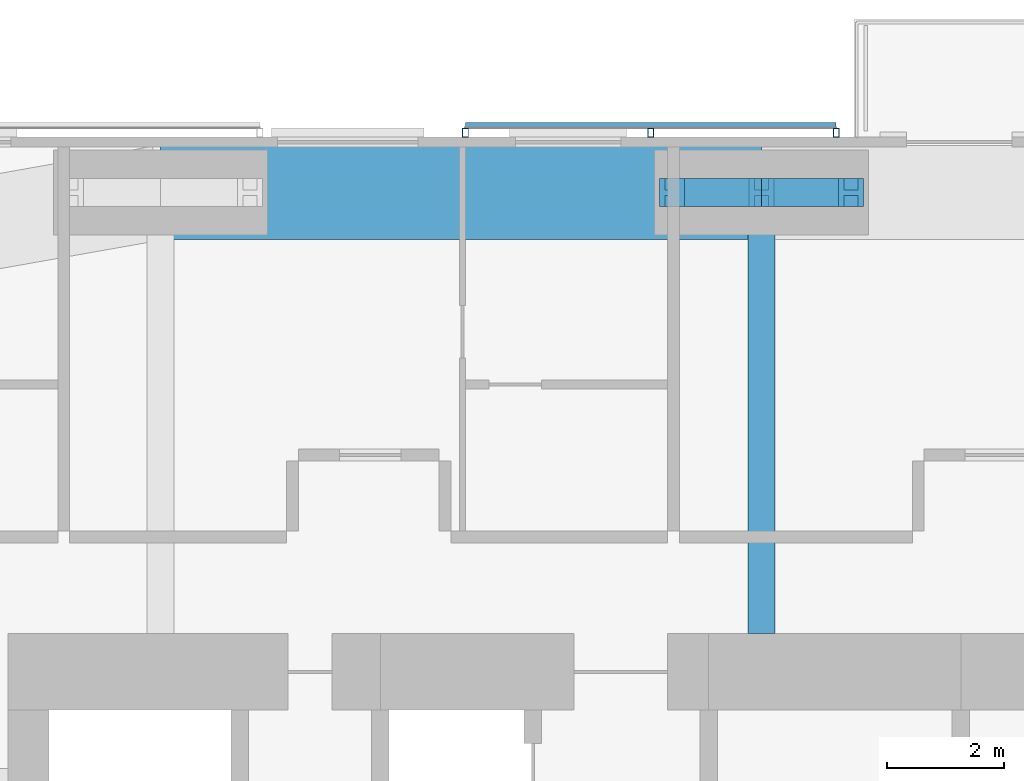
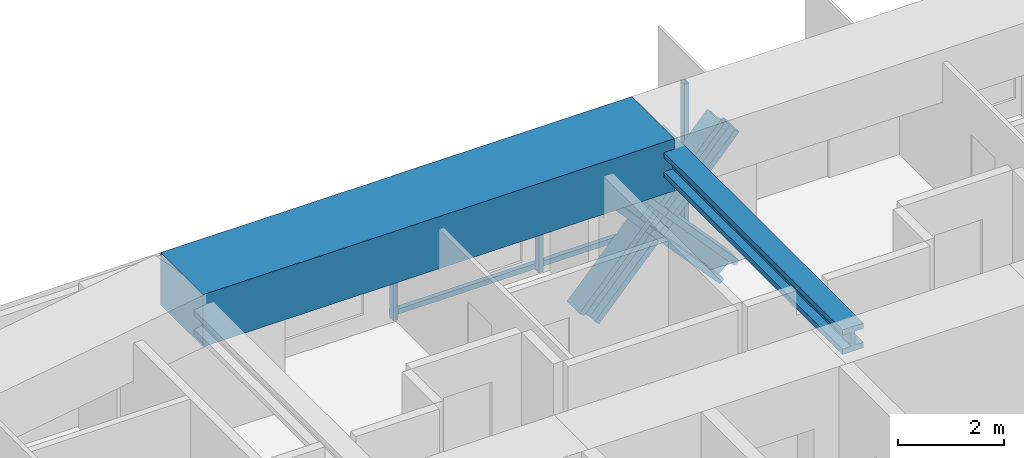
# One storey, part 12 of 23: 8 members, 2 beams, 1 element without a shape of its own.
"""IFC4 building model written with IfcOpenShell, lengths in metres."""

from ifc_helpers import new_model, si_unit, direction, frame, origin, origin_2d, place, context, subcontext, project, spatial, rectangle, hollow_rectangle, i_section, extrude, material, material_profile, profile_set, type_object, element, aggregate, save


model = new_model("IFC4")

# Units and contexts
model_context = context("Model", 3, precision=1e-05, world=origin(), true_north=direction((0.0, 1.0)))
body_context = subcontext(model_context, "Body", "Model", "MODEL_VIEW")
ifc_project = project(units=[si_unit("LENGTHUNIT", "METRE"), si_unit("AREAUNIT", "SQUARE_METRE"), si_unit("VOLUMEUNIT", "CUBIC_METRE"), si_unit("PLANEANGLEUNIT", "RADIAN"), si_unit("MASSUNIT", "GRAM", prefix="KILO")], contexts=[model_context])

# Site, building, storey
site_placement = place(None, origin())
site = spatial("IfcSite", under=ifc_project, at=site_placement, CompositionType="ELEMENT")
building_placement = place(site_placement, origin())
building = spatial("IfcBuilding", under=site, at=building_placement, Name="Jalousie Tower", CompositionType="ELEMENT")
storey_placement = place(building_placement, frame((0.0, 0.0, 187.85009765625)))
storey = spatial("IfcBuildingStorey", under=building, at=storey_placement, Name="L51", CompositionType="ELEMENT", Elevation=187.85009765625)

# Beam
ifc_material_1 = material(Name="Steel ASTM A992 Grade 50", Category="steel")
ifc_material_profile_1 = material_profile(ifc_material_1, i_section(OverallWidth=0.45458984375, OverallDepth=0.569091796875, WebThickness=0.077880859375, FlangeThickness=0.124755859375, at=origin_2d()), Name="W14X730")
ifc_profile_set_1 = profile_set([ifc_material_profile_1], Name="Steel ASTM A992 Grade 50")
beam_type_1 = type_object("IfcBeamType", Name="LEAN COLLECTOR W14X730", PredefinedType="BEAM", material=ifc_profile_set_1)
beam_1_placement = place(storey_placement, frame((32.5, 35.050048828125, 2.825439453125), z_axis=(0.0, -1.0, 0.0), x_axis=(1.0, 0.0, 0.0)))
element("IfcBeam", 1, at=beam_1_placement, inside=storey, type_object=beam_type_1, Name="Lean collector under L52", PredefinedType="BEAM", context=body_context, shape_type="SweptSolid", body=[
    extrude(i_section(OverallWidth=0.45458984375, OverallDepth=0.569091796875, WebThickness=0.077880859375, FlangeThickness=0.124755859375, at=origin_2d()), origin(), (0.0, 0.0, 1.0), 7.525146484375),
])

# Members
ifc_material_2 = material(Name="Steel ASTM A992 Grade 50", Category="steel")
ifc_material_profile_2 = material_profile(ifc_material_2, i_section(OverallWidth=0.472412109375, OverallDepth=0.5791015625, WebThickness=0.094970703125, FlangeThickness=0.1298828125, at=origin_2d()), Name="W14X808")
ifc_profile_set_2 = profile_set([ifc_material_profile_2], Name="Steel ASTM A992 Grade 50")
member_type_1 = type_object("IfcMemberType", Name="PERIMETER BRACE W14X808", PredefinedType="BRACE", material=ifc_profile_set_2)
for number, where, z_axis, x_axis, name in (
    (2, (30.97509765625, 35.050048828125, -0.60009765625), (0.673187629365, 0.0, 0.739471713908), (0.0, 1.0, 0.0), "Perimeter brace 10 L51 part 1"),
    (3, (32.5, 35.050048828125, 1.074951171875), (0.673187629365, 0.0, 0.739471713908), (0.0, 1.0, 0.0), "Perimeter brace 10 L51 part 2"),
    (4, (34.02490234375, 35.050048828125, -0.60009765625), (-0.673187629365, 0.0, 0.739471713908), (0.0, -1.0, 0.0), "Perimeter brace 10 L51 part 3"),
    (5, (32.5, 35.050048828125, 1.074951171875), (-0.673187629365, 0.0, 0.739471713908), (0.0, -1.0, 0.0), "Perimeter brace 10 L51 part 4"),
):
    element("IfcMember", number, at=place(storey_placement, frame(where, z_axis=z_axis, x_axis=x_axis)), inside=storey, type_object=member_type_1, Name=name, PredefinedType="BRACE", context=body_context, shape_type="SweptSolid", body=[
        extrude(i_section(OverallWidth=0.472412109375, OverallDepth=0.5791015625, WebThickness=0.094970703125, FlangeThickness=0.1298828125, at=origin_2d()), origin(), (0.0, 0.0, 1.0), 2.26513671875),
    ])

# Beam
ifc_material_3 = material(Name="Concrete f'c 40 MPa", Category="concrete")
ifc_material_profile_3 = material_profile(ifc_material_3, rectangle(XDim=1.60009765625, YDim=1.199951171875, at=origin_2d()), Name="RC 1600x1200")
ifc_profile_set_3 = profile_set([ifc_material_profile_3], Name="Concrete f'c 40 MPa")
beam_type_2 = type_object("IfcBeamType", Name="RC BEAM 1600x1200", PredefinedType="BEAM", material=ifc_profile_set_3)
beam_2_placement = place(storey_placement, frame((32.5, 35.050048828125, 2.75), z_axis=(-1.0, 0.0, 0.0), x_axis=(0.0, -1.0, 0.0)))
element("IfcBeam", 6, at=beam_2_placement, inside=storey, type_object=beam_type_2, Name="Edge band beam 10-11 under L52", PredefinedType="BEAM", context=body_context, shape_type="SweptSolid", body=[
    extrude(rectangle(XDim=1.60009765625, YDim=1.199951171875, at=origin_2d()), origin(), (0.0, 0.0, 1.0), 10.25),
])

# Curtain wall, members
ifc_material_4 = material(Name="Perforated aluminium sheet", Category="aluminium")
curtain_wall_type = type_object("IfcCurtainWallType", Name="SOLAR SCREEN SS-1", PredefinedType="USERDEFINED", material=ifc_material_4)
curtain_wall_placement = place(storey_placement, origin())
curtain_wall = element("IfcCurtainWall", 7, at=curtain_wall_placement, inside=storey, type_object=curtain_wall_type, Name="Solar screen L51", ObjectType="SOLAR SCREEN SS-1", PredefinedType="USERDEFINED")
ifc_material_5 = material(Name="Steel ASTM A500 Grade C", Category="steel")
ifc_material_profile_4 = material_profile(ifc_material_5, hollow_rectangle(XDim=0.1015625, YDim=0.15234375, WallThickness=0.00634765625, at=origin_2d()), Name="HSS6X4X1/4")
ifc_profile_set_4 = profile_set([ifc_material_profile_4], Name="Steel ASTM A500 Grade C")
member_type_2 = type_object("IfcMemberType", Name="SOLAR SCREEN SS-1 MULLION", PredefinedType="MULLION", material=ifc_profile_set_4)
member_1_placement = place(storey_placement, frame((33.77490234375, 36.0712890625, -0.1201171875), z_axis=(0.0, 0.0, 1.0), x_axis=(-1.0, 0.0, 0.0)))
member_1 = element("IfcMember", 8, at=member_1_placement, type_object=member_type_2, Name="SS1 post 1", PredefinedType="MULLION", context=body_context, shape_type="SweptSolid", body=[
    extrude(hollow_rectangle(XDim=0.1015625, YDim=0.15234375, WallThickness=0.00634765625, at=origin_2d()), origin(), (0.0, 0.0, 1.0), 3.22998046875),
])
member_2_placement = place(storey_placement, frame((30.612548828125, 36.0712890625, -0.1201171875), z_axis=(0.0, 0.0, 1.0), x_axis=(-1.0, 0.0, 0.0)))
member_2 = element("IfcMember", 9, at=member_2_placement, type_object=member_type_2, Name="SS1 post 2", PredefinedType="MULLION", context=body_context, shape_type="SweptSolid", body=[
    extrude(hollow_rectangle(XDim=0.1015625, YDim=0.15234375, WallThickness=0.00634765625, at=origin_2d()), origin(), (0.0, 0.0, 1.0), 3.22998046875),
])
member_3_placement = place(storey_placement, frame((27.449951171875, 36.0712890625, -0.1201171875), z_axis=(0.0, 0.0, 1.0), x_axis=(-1.0, 0.0, 0.0)))
member_3 = element("IfcMember", 10, at=member_3_placement, type_object=member_type_2, Name="SS1 post 3", PredefinedType="MULLION", context=body_context, shape_type="SweptSolid", body=[
    extrude(hollow_rectangle(XDim=0.1015625, YDim=0.15234375, WallThickness=0.00634765625, at=origin_2d()), origin(), (0.0, 0.0, 1.0), 3.22998046875),
])
ifc_material_6 = material(Name="Extruded aluminium screen rail", Category="aluminium")
ifc_material_profile_5 = material_profile(ifc_material_6, rectangle(XDim=0.1015625, YDim=0.1201171875, at=origin_2d()), Name="RAIL 102x120")
ifc_profile_set_5 = profile_set([ifc_material_profile_5], Name="Extruded aluminium screen rail")
member_type_3 = type_object("IfcMemberType", Name="SOLAR SCREEN SS-1 TRANSOM", PredefinedType="USERDEFINED", material=ifc_profile_set_5)
member_4_placement = place(storey_placement, frame((33.77490234375, 36.1982421875, -0.06005859375), z_axis=(-1.0, 0.0, 0.0), x_axis=(0.0, -1.0, 0.0)))
member_4 = element("IfcMember", 11, at=member_4_placement, type_object=member_type_3, Name="SS1 rail", ObjectType="TRANSOM", PredefinedType="USERDEFINED", context=body_context, shape_type="SweptSolid", body=[
    extrude(rectangle(XDim=0.1015625, YDim=0.1201171875, at=origin_2d()), origin(), (0.0, 0.0, 1.0), 6.324951171875),
])
aggregate(curtain_wall, [member_1, member_2, member_3, member_4])

save(model, "model.ifc")
